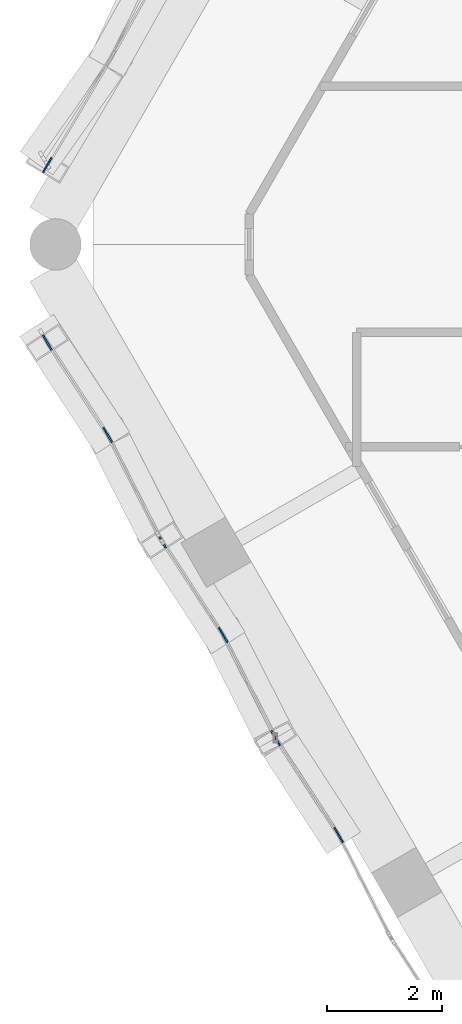
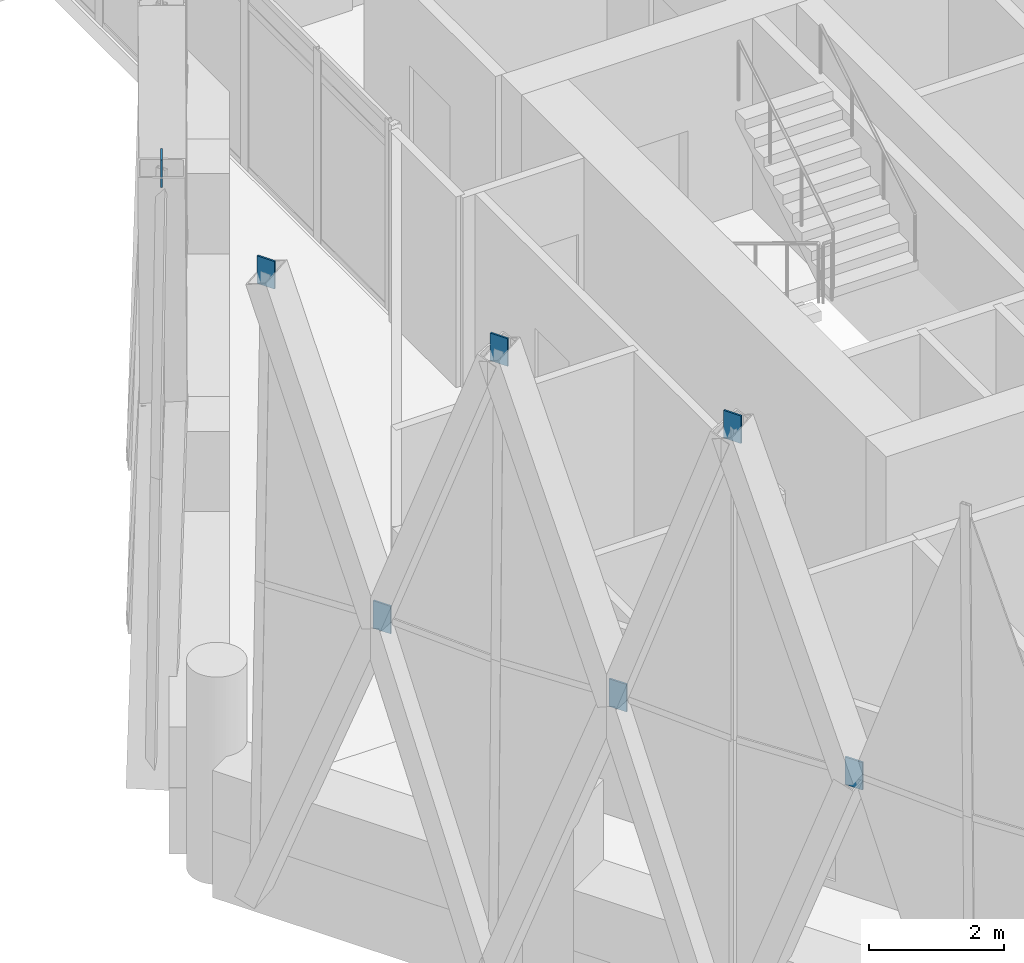
# One storey, part 33 of 37: 7 discrete accessories.
"""IFC4 building model written with IfcOpenShell, lengths in metres."""

from ifc_helpers import new_model, si_unit, direction, frame, origin, origin_2d, place, context, subcontext, project, spatial, rectangle, extrude, material, layer, layer_set, type_object, element, save


model = new_model("IFC4")

# Units and contexts
model_context = context("Model", 3, precision=1e-05, world=origin(), true_north=direction((0.0, 1.0)))
body_context = subcontext(model_context, "Body", "Model", "MODEL_VIEW")
ifc_project = project(units=[si_unit("LENGTHUNIT", "METRE"), si_unit("AREAUNIT", "SQUARE_METRE"), si_unit("VOLUMEUNIT", "CUBIC_METRE"), si_unit("PLANEANGLEUNIT", "RADIAN"), si_unit("MASSUNIT", "GRAM", prefix="KILO")], contexts=[model_context])

# Site, building, storey
site_placement = place(None, origin())
site = spatial("IfcSite", under=ifc_project, at=site_placement, CompositionType="ELEMENT")
building_placement = place(site_placement, origin())
building = spatial("IfcBuilding", under=site, at=building_placement, Name="Ostrander Bayou Hotel Tower", CompositionType="ELEMENT")
storey_placement = place(building_placement, frame((0.0, 0.0, 225.75)))
storey = spatial("IfcBuildingStorey", under=building, at=storey_placement, Name="L56", CompositionType="ELEMENT", Elevation=225.75)

# Discrete accessories
ifc_material = material(Name="Steel ASTM A572 Gr 50", Category="steel")
ifc_layer = layer(ifc_material, 0.030029296875)
ifc_layer_set = layer_set([ifc_layer], Name="GP1 gusset plate 30 mm")
discrete_accessory_type = type_object("IfcDiscreteAccessoryType", Name="GP1 gusset plate 30 mm", PredefinedType="BRACKET", material=ifc_layer_set)
for number, where, z_axis, x_axis, name in (
    (1, (-19.203369140625, 1.22412109375, 10.39990234375), (0.0, 0.0, 1.0), (-0.5, -0.866025403784, 0.0), "GP1 gusset plate lat 358"),
    (2, (-18.1494140625, -3.490478515625, 4.77490234375), (0.0, 0.0, 1.0), (0.5, -0.866025403784, 0.0), "GP1 gusset plate lat 359"),
    (3, (-19.203369140625, -1.87890625, 10.39990234375), (0.0, 0.0, 1.0), (0.5, -0.866025403784, 0.0), "GP1 gusset plate lat 360"),
    (4, (-17.209716796875, -5.331787109375, 10.39990234375), (0.0, 0.0, 1.0), (0.5, -0.866025403784, 0.0), "GP1 gusset plate lat 361"),
    (5, (-16.132080078125, -6.984619140625, 4.77490234375), (0.0, 0.0, 1.0), (0.5, -0.866025403784, 0.0), "GP1 gusset plate lat 362"),
    (6, (-15.216064453125, -8.784912109375, 10.39990234375), (0.0, 0.0, 1.0), (0.5, -0.866025403784, 0.0), "GP1 gusset plate lat 363"),
    (7, (-14.11474609375, -10.478515625, 4.77490234375), (0.0, 0.0, 1.0), (0.5, -0.866025403784, 0.0), "GP1 gusset plate lat 364"),
):
    element("IfcDiscreteAccessory", number, at=place(storey_placement, frame(where, z_axis=z_axis, x_axis=x_axis)), inside=storey, type_object=discrete_accessory_type, Name=name, PredefinedType="BRACKET", context=body_context, shape_type="SweptSolid", body=[
        extrude(rectangle(XDim=0.300048828125, YDim=0.030029296875, at=origin_2d()), origin(), (0.0, 0.0, 1.0), 0.5),
    ])

save(model, "model.ifc")
